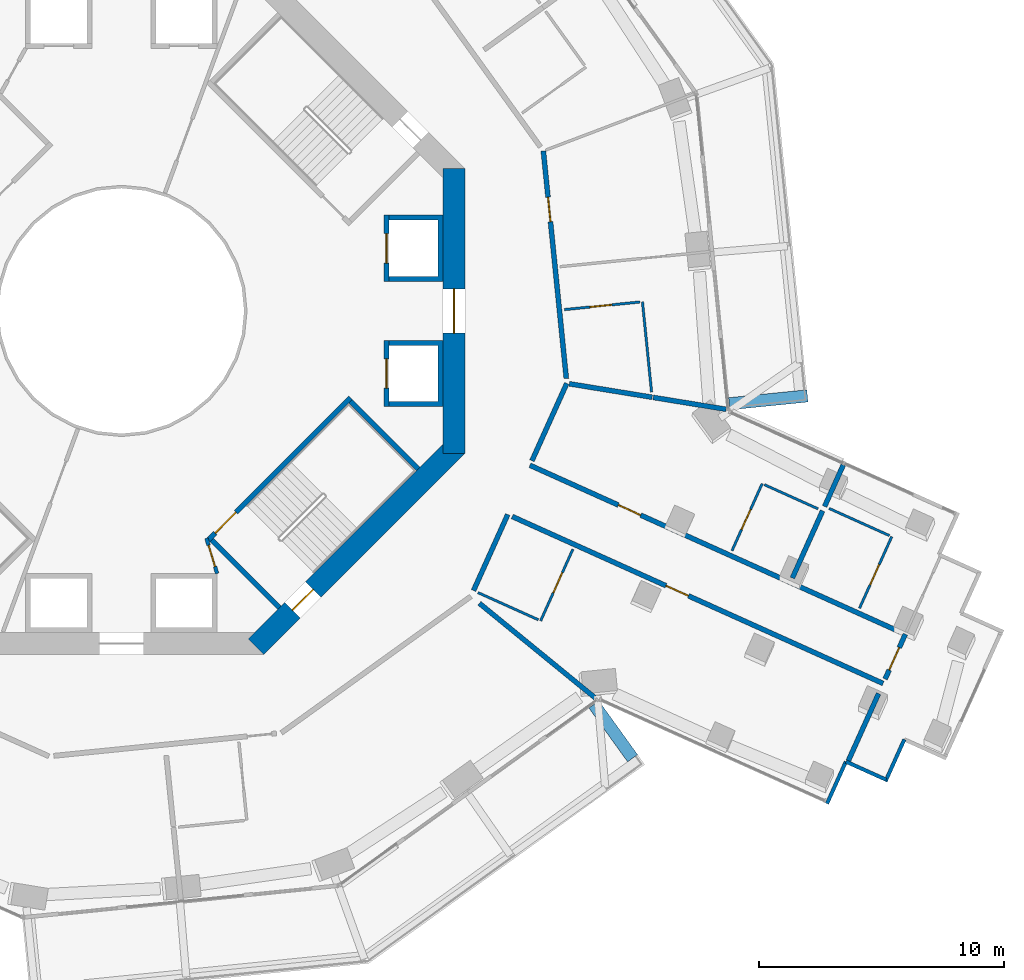
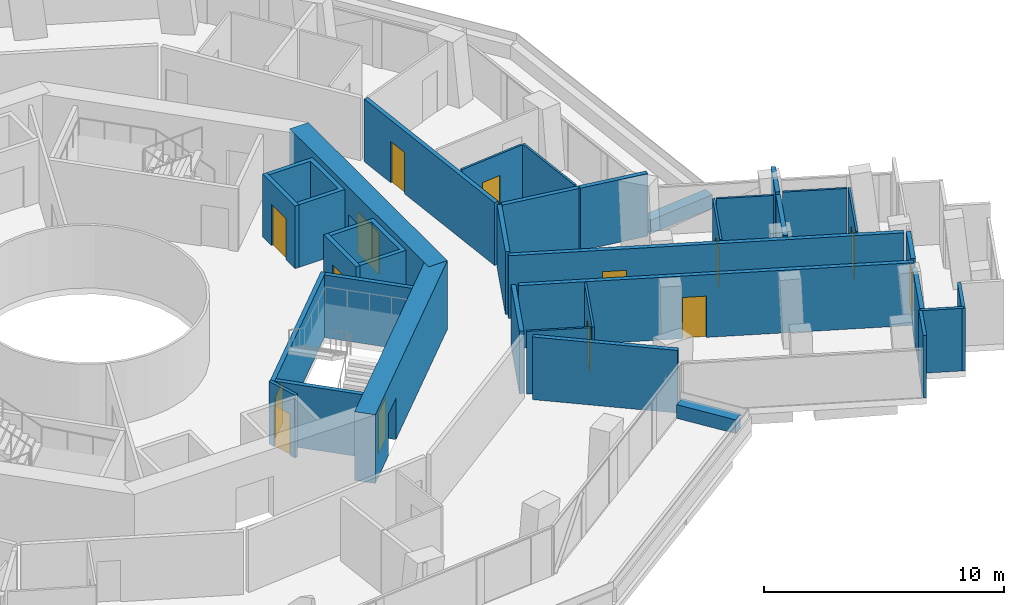
# One storey, part 20 of 26: 35 walls, 14 doors, 14 openings.
"""IFC4 building model written with IfcOpenShell, lengths in metres."""

from ifc_helpers import new_model, si_unit, direction, frame, frame_2d, origin, place, context, subcontext, project, spatial, polyline, rectangle, outline, extrude, material, layer, layer_set, type_object, element, fill, save


model = new_model("IFC4")

# Units and contexts
model_context = context("Model", 3, precision=1e-05, world=origin(), true_north=direction((0.0, 1.0)))
body_context = subcontext(model_context, "Body", "Model", "MODEL_VIEW")
ifc_project = project(units=[si_unit("LENGTHUNIT", "METRE"), si_unit("AREAUNIT", "SQUARE_METRE"), si_unit("VOLUMEUNIT", "CUBIC_METRE"), si_unit("PLANEANGLEUNIT", "RADIAN"), si_unit("MASSUNIT", "GRAM", prefix="KILO")], contexts=[model_context])

# Site, building, storey
site_placement = place(None, origin())
site = spatial("IfcSite", under=ifc_project, at=site_placement, CompositionType="ELEMENT")
building_placement = place(site_placement, origin())
building = spatial("IfcBuilding", under=site, at=building_placement, Name="Verdalira Terraces Hotel", CompositionType="ELEMENT")
storey_placement = place(building_placement, frame((0.0, 0.0, 56.5)))
storey = spatial("IfcBuildingStorey", under=building, at=storey_placement, Name="L12", CompositionType="ELEMENT", Elevation=56.5)

# Walls
ifc_material_1 = material(Name="Concrete C40", Category="concrete")
ifc_layer_1 = layer(ifc_material_1, 0.5)
ifc_layer_set_1 = layer_set([ifc_layer_1], Name="Balcony planter trough with tree")
wall_type_1 = type_object("IfcWallType", Name="Balcony planter trough with tree", PredefinedType="SOLIDWALL", material=ifc_layer_set_1)
wall_1_placement = place(storey_placement, frame((20.825928, -18.223389, 0.0), z_axis=(0.0, 0.0, 1.0), x_axis=(-0.584416714, 0.811453698, 0.0)))
element("IfcWall", 1, at=wall_1_placement, inside=storey, type_object=wall_type_1, Name="Balcony planter", PredefinedType="SOLIDWALL", context=body_context, shape_type="SweptSolid", body=[
    extrude(rectangle(XDim=2.698975, YDim=0.5, at=frame_2d((1.349609, 0.0))), origin(), (0.0, 0.0, 1.0), 0.699951),
])
wall_2_placement = place(storey_placement, frame((24.76416, -3.783691, 0.0), z_axis=(0.0, 0.0, 1.0), x_axis=(0.994951439, 0.100357532, 0.0)))
element("IfcWall", 2, at=wall_2_placement, inside=storey, type_object=wall_type_1, Name="Balcony planter", PredefinedType="SOLIDWALL", context=body_context, shape_type="SweptSolid", body=[
    extrude(rectangle(XDim=3.198975, YDim=0.5, at=frame_2d((1.599609, 0.0))), origin(), (0.0, 0.0, 1.0), 0.699951),
])
ifc_material_2 = material(Name="Moisture-resistant gypsum board partition")
ifc_layer_2 = layer(ifc_material_2, 0.10009765625)
ifc_layer_set_2 = layer_set([ifc_layer_2], Name="Bathroom partition 100 mm")
wall_type_2 = type_object("IfcWallType", Name="Bathroom partition 100 mm", PredefinedType="PARTITIONING", material=ifc_layer_set_2)
wall_3_placement = place(storey_placement, frame((16.989502, -12.584717, 0.0), z_axis=(0.0, 0.0, 1.0), x_axis=(-0.911847045, 0.410530105, 0.0)))
element("IfcWall", 3, at=wall_3_placement, inside=storey, type_object=wall_type_2, Name="Bathroom partition", PredefinedType="PARTITIONING", context=body_context, shape_type="SweptSolid", body=[
    extrude(rectangle(XDim=2.699951, YDim=0.100098, at=frame_2d((1.350098, 0.0))), origin(), (0.0, 0.0, 1.0), 3.189941),
])

# Wall, opening, door
wall_4_placement = place(storey_placement, frame((17.080566, -12.625732, 0.0), z_axis=(0.0, 0.0, 1.0), x_axis=(0.410558188, 0.911834401, 0.0)))
wall_4 = element("IfcWall", 4, at=wall_4_placement, inside=storey, type_object=wall_type_2, Name="Bathroom partition", PredefinedType="PARTITIONING", context=body_context, shape_type="SweptSolid", body=[
    extrude(rectangle(XDim=3.199951, YDim=0.100098, at=frame_2d((1.600098, 0.0))), origin(), (0.0, 0.0, 1.0), 3.189941),
])
opening_1_placement = place(wall_4_placement, frame((1.25, 0.0, 0.0)))
opening_1 = element("IfcOpeningElement", 5, at=opening_1_placement, cuts=wall_4, Name="Opening L12-126", PredefinedType="OPENING", context=body_context, shape_type="SweptSolid", body=[
    extrude(rectangle(XDim=0.899902, YDim=2.100098, at=frame_2d((0.449951, 1.050049))), frame((0.0, 0.060059, 0.0), z_axis=(0.0, -1.0, 0.0), x_axis=(1.0, 0.0, 0.0)), (0.0, 0.0, 1.0), 0.120117),
])
ifc_material_3 = material(Name="Timber door", Category="wood")
door_type_1 = type_object("IfcDoorType", Name="Bathroom door 900 x 2100", OperationType="NOTDEFINED", PredefinedType="DOOR", material=ifc_material_3)
door_1_placement = place(opening_1_placement, origin())
door_1 = element("IfcDoor", 6, at=door_1_placement, inside=storey, type_object=door_type_1, Name="Bathroom door 1211", OperationType="SINGLE_SWING_LEFT", OverallHeight=2.10009765625, OverallWidth=0.89990234375, PredefinedType="DOOR", context=body_context, shape_type="SweptSolid", body=[
    extrude(rectangle(XDim=0.899902, YDim=2.100098, at=frame_2d((0.449951, 1.050049))), frame((0.0, 0.024902, 0.0), z_axis=(0.0, -1.0, 0.0), x_axis=(1.0, 0.0, 0.0)), (0.0, 0.0, 1.0), 0.050049),
])
fill(opening_1, door_1)

wall_5_placement = place(storey_placement, frame((21.128418, 0.364014, 0.0), z_axis=(0.0, 0.0, 1.0), x_axis=(-0.994953403, -0.100338054, 0.0)))
wall_5 = element("IfcWall", 7, at=wall_5_placement, inside=storey, type_object=wall_type_2, Name="Bathroom partition", PredefinedType="PARTITIONING", context=body_context, shape_type="SweptSolid", body=[
    extrude(rectangle(XDim=3.099854, YDim=0.100098, at=frame_2d((1.549805, 0.0))), origin(), (0.0, 0.0, 1.0), 3.189941),
])
opening_2_placement = place(wall_5_placement, frame((1.149902, 0.0, 0.0)))
opening_2 = element("IfcOpeningElement", 8, at=opening_2_placement, cuts=wall_5, Name="Opening L12-135", PredefinedType="OPENING", context=body_context, shape_type="SweptSolid", body=[
    extrude(rectangle(XDim=0.899902, YDim=2.100098, at=frame_2d((0.449951, 1.050049))), frame((0.0, 0.060059, 0.0), z_axis=(0.0, -1.0, 0.0), x_axis=(1.0, 0.0, 0.0)), (0.0, 0.0, 1.0), 0.120117),
])
door_2_placement = place(opening_2_placement, origin())
door_2 = element("IfcDoor", 9, at=door_2_placement, inside=storey, type_object=door_type_1, Name="Bathroom door 1214", OperationType="SINGLE_SWING_LEFT", OverallHeight=2.10009765625, OverallWidth=0.89990234375, PredefinedType="DOOR", context=body_context, shape_type="SweptSolid", body=[
    extrude(rectangle(XDim=0.899902, YDim=2.100098, at=frame_2d((0.449951, 1.050049))), frame((0.0, 0.024902, 0.0), z_axis=(0.0, -1.0, 0.0), x_axis=(1.0, 0.0, 0.0)), (0.0, 0.0, 1.0), 0.050049),
])
fill(opening_2, door_2)

# Wall
wall_6_placement = place(storey_placement, frame((21.599609, -3.311279, 0.0), z_axis=(0.0, 0.0, 1.0), x_axis=(-0.100319439, 0.99495528, 0.0)))
element("IfcWall", 10, at=wall_6_placement, inside=storey, type_object=wall_type_2, Name="Bathroom partition", PredefinedType="PARTITIONING", context=body_context, shape_type="SweptSolid", body=[
    extrude(rectangle(XDim=3.704102, YDim=0.100098, at=frame_2d((1.852051, 0.0))), origin(), (0.0, 0.0, 1.0), 3.189941),
])

# Wall, opening, door
wall_7_placement = place(storey_placement, frame((26.105713, -7.038574, 0.0), z_axis=(0.0, 0.0, 1.0), x_axis=(-0.410581238, -0.911824022, 0.0)))
wall_7 = element("IfcWall", 11, at=wall_7_placement, inside=storey, type_object=wall_type_2, Name="Bathroom partition", PredefinedType="PARTITIONING", context=body_context, shape_type="SweptSolid", body=[
    extrude(rectangle(XDim=2.999756, YDim=0.100098, at=frame_2d((1.5, 0.0))), origin(), (0.0, 0.0, 1.0), 3.189941),
])
opening_3_placement = place(wall_7_placement, frame((1.149902, 0.0, 0.0)))
opening_3 = element("IfcOpeningElement", 12, at=opening_3_placement, cuts=wall_7, Name="Opening L12-131", PredefinedType="OPENING", context=body_context, shape_type="SweptSolid", body=[
    extrude(rectangle(XDim=0.899902, YDim=2.100098, at=frame_2d((0.449951, 1.050049))), frame((0.0, 0.060059, 0.0), z_axis=(0.0, -1.0, 0.0), x_axis=(1.0, 0.0, 0.0)), (0.0, 0.0, 1.0), 0.120117),
])
door_3_placement = place(opening_3_placement, origin())
door_3 = element("IfcDoor", 13, at=door_3_placement, inside=storey, type_object=door_type_1, Name="Bathroom door 1213", OperationType="SINGLE_SWING_LEFT", OverallHeight=2.10009765625, OverallWidth=0.89990234375, PredefinedType="DOOR", context=body_context, shape_type="SweptSolid", body=[
    extrude(rectangle(XDim=0.899902, YDim=2.100098, at=frame_2d((0.449951, 1.050049))), frame((0.0, 0.024902, 0.0), z_axis=(0.0, -1.0, 0.0), x_axis=(1.0, 0.0, 0.0)), (0.0, 0.0, 1.0), 0.050049),
])
fill(opening_3, door_3)

# Walls
wall_8_placement = place(storey_placement, frame((26.196777, -7.07959, 0.0), z_axis=(0.0, 0.0, 1.0), x_axis=(0.91183774, -0.410550772, 0.0)))
element("IfcWall", 14, at=wall_8_placement, inside=storey, type_object=wall_type_2, Name="Bathroom partition", PredefinedType="PARTITIONING", context=body_context, shape_type="SweptSolid", body=[
    extrude(rectangle(XDim=2.400146, YDim=0.100098, at=frame_2d((1.200195, 0.0))), origin(), (0.0, 0.0, 1.0), 3.189941),
])
wall_9_placement = place(storey_placement, frame((31.293945, -9.155273, 0.0), z_axis=(0.0, 0.0, 1.0), x_axis=(-0.911813193, 0.410605286, 0.0)))
element("IfcWall", 15, at=wall_9_placement, inside=storey, type_object=wall_type_2, Name="Bathroom partition", PredefinedType="PARTITIONING", context=body_context, shape_type="SweptSolid", body=[
    extrude(rectangle(XDim=2.699951, YDim=0.100098, at=frame_2d((1.350098, 0.0))), origin(), (0.0, 0.0, 1.0), 3.189941),
])

# Wall, opening, door
wall_10_placement = place(storey_placement, frame((30.071289, -12.114258, 0.0), z_axis=(0.0, 0.0, 1.0), x_axis=(0.410593059, 0.911818699, 0.0)))
wall_10 = element("IfcWall", 16, at=wall_10_placement, inside=storey, type_object=wall_type_2, Name="Bathroom partition", PredefinedType="PARTITIONING", context=body_context, shape_type="SweptSolid", body=[
    extrude(rectangle(XDim=3.200195, YDim=0.100098, at=frame_2d((1.600098, 0.0))), origin(), (0.0, 0.0, 1.0), 3.189941),
])
opening_4_placement = place(wall_10_placement, frame((1.050049, 0.0, 0.0)))
opening_4 = element("IfcOpeningElement", 17, at=opening_4_placement, cuts=wall_10, Name="Opening L12-129", PredefinedType="OPENING", context=body_context, shape_type="SweptSolid", body=[
    extrude(rectangle(XDim=0.899902, YDim=2.100098, at=frame_2d((0.449951, 1.050049))), frame((0.0, 0.060059, 0.0), z_axis=(0.0, -1.0, 0.0), x_axis=(1.0, 0.0, 0.0)), (0.0, 0.0, 1.0), 0.120117),
])
door_4_placement = place(opening_4_placement, origin())
door_4 = element("IfcDoor", 18, at=door_4_placement, inside=storey, type_object=door_type_1, Name="Bathroom door 1212", OperationType="SINGLE_SWING_RIGHT", OverallHeight=2.10009765625, OverallWidth=0.89990234375, PredefinedType="DOOR", context=body_context, shape_type="SweptSolid", body=[
    extrude(rectangle(XDim=0.899902, YDim=2.100098, at=frame_2d((0.449951, 1.050049))), frame((0.0, 0.024902, 0.0), z_axis=(0.0, -1.0, 0.0), x_axis=(1.0, 0.0, 0.0)), (0.0, 0.0, 1.0), 0.050049),
])
fill(opening_4, door_4)

# Wall
ifc_material_4 = material(Name="Concrete C50", Category="concrete")
ifc_layer_3 = layer(ifc_material_4, 0.199951171875)
ifc_layer_set_3 = layer_set([ifc_layer_3], Name="Core RC wall 200 C50")
wall_type_3 = type_object("IfcWallType", Name="Core RC wall 200 C50", PredefinedType="SOLIDWALL", material=ifc_layer_set_3)
wall_11_placement = place(storey_placement, origin())
element("IfcWall", 19, at=wall_11_placement, inside=storey, type_object=wall_type_3, Name="L12 shaft wall E1", PredefinedType="SOLIDWALL", context=body_context, shape_type="SweptSolid", body=[
    extrude(outline(polyline([(13.100098, -3.899902), (10.899902, -3.899902), (10.899902, -3.699951), (12.899902, -3.699951), (12.899902, -1.399902), (10.899902, -1.399902), (10.899902, -1.199951), (13.100098, -1.199951), (13.100098, -3.899902)])), origin(), (0.0, 0.0, 1.0), 3.189941),
])

# Wall, opening, door
wall_12_placement = place(storey_placement, frame((10.800049, -1.199951, 0.0), z_axis=(0.0, 0.0, 1.0), x_axis=(0.0, -1.0, 0.0)))
wall_12 = element("IfcWall", 20, at=wall_12_placement, inside=storey, type_object=wall_type_3, Name="L12 shaft front wall E1", PredefinedType="SOLIDWALL", context=body_context, shape_type="SweptSolid", body=[
    extrude(rectangle(XDim=2.699951, YDim=0.199951, at=frame_2d((1.350098, 0.0))), origin(), (0.0, 0.0, 1.0), 3.189941),
])
opening_5_placement = place(wall_12_placement, frame((0.75, 0.0, 0.0)))
opening_5 = element("IfcOpeningElement", 21, at=opening_5_placement, cuts=wall_12, Name="Opening LD-L12-801", PredefinedType="OPENING", context=body_context, shape_type="SweptSolid", body=[
    extrude(rectangle(XDim=1.199951, YDim=2.100098, at=frame_2d((0.600098, 1.050049))), frame((0.0, 0.109863, 0.0), z_axis=(0.0, -1.0, 0.0), x_axis=(1.0, 0.0, 0.0)), (0.0, 0.0, 1.0), 0.219971),
])
ifc_material_5 = material(Name="Stainless steel", Category="steel")
door_type_2 = type_object("IfcDoorType", Name="Landing door 1200 x 2100", OperationType="NOTDEFINED", PredefinedType="DOOR", material=ifc_material_5)
door_5_placement = place(opening_5_placement, origin())
door_5 = element("IfcDoor", 22, at=door_5_placement, inside=storey, type_object=door_type_2, Name="Lift landing door LR1 L12", OperationType="DOUBLE_DOOR_SLIDING", OverallHeight=2.10009765625, OverallWidth=1.199951171875, PredefinedType="DOOR", context=body_context, shape_type="SweptSolid", body=[
    extrude(rectangle(XDim=1.199951, YDim=2.100098, at=frame_2d((0.600098, 1.050049))), frame((0.0, 0.024902, 0.0), z_axis=(0.0, -1.0, 0.0), x_axis=(1.0, 0.0, 0.0)), (0.0, 0.0, 1.0), 0.050049),
])
fill(opening_5, door_5)

# Wall
wall_13_placement = place(storey_placement, origin())
element("IfcWall", 23, at=wall_13_placement, inside=storey, type_object=wall_type_3, Name="L12 shaft wall E2", PredefinedType="SOLIDWALL", context=body_context, shape_type="SweptSolid", body=[
    extrude(outline(polyline([(13.100098, 3.899902), (13.100098, 1.199951), (10.899902, 1.199951), (10.899902, 1.399902), (12.899902, 1.399902), (12.899902, 3.699951), (10.899902, 3.699951), (10.899902, 3.899902), (13.100098, 3.899902)])), origin(), (0.0, 0.0, 1.0), 3.189941),
])

# Wall, opening, door
wall_14_placement = place(storey_placement, frame((10.800049, 1.199951, 0.0), z_axis=(0.0, 0.0, 1.0), x_axis=(0.0, 1.0, 0.0)))
wall_14 = element("IfcWall", 24, at=wall_14_placement, inside=storey, type_object=wall_type_3, Name="L12 shaft front wall E2", PredefinedType="SOLIDWALL", context=body_context, shape_type="SweptSolid", body=[
    extrude(rectangle(XDim=2.699951, YDim=0.199951, at=frame_2d((1.350098, 0.0))), origin(), (0.0, 0.0, 1.0), 3.189941),
])
opening_6_placement = place(wall_14_placement, frame((0.75, 0.0, 0.0)))
opening_6 = element("IfcOpeningElement", 25, at=opening_6_placement, cuts=wall_14, Name="Opening LD-L12-802", PredefinedType="OPENING", context=body_context, shape_type="SweptSolid", body=[
    extrude(rectangle(XDim=1.199951, YDim=2.100098, at=frame_2d((0.600098, 1.050049))), frame((0.0, 0.109863, 0.0), z_axis=(0.0, -1.0, 0.0), x_axis=(1.0, 0.0, 0.0)), (0.0, 0.0, 1.0), 0.219971),
])
door_6_placement = place(opening_6_placement, origin())
door_6 = element("IfcDoor", 26, at=door_6_placement, inside=storey, type_object=door_type_2, Name="Lift landing door LR2 L12", OperationType="DOUBLE_DOOR_SLIDING", OverallHeight=2.10009765625, OverallWidth=1.199951171875, PredefinedType="DOOR", context=body_context, shape_type="SweptSolid", body=[
    extrude(rectangle(XDim=1.199951, YDim=2.100098, at=frame_2d((0.600098, 1.050049))), frame((0.0, 0.024902, 0.0), z_axis=(0.0, -1.0, 0.0), x_axis=(1.0, 0.0, 0.0)), (0.0, 0.0, 1.0), 0.050049),
])
fill(opening_6, door_6)

wall_15_placement = place(storey_placement, frame((9.33374, -3.5354, 0.0), z_axis=(0.0, 0.0, 1.0), x_axis=(-0.707106781, -0.707106781, 0.0)))
wall_15 = element("IfcWall", 27, at=wall_15_placement, inside=storey, type_object=wall_type_3, Name="L12 stair ST3 front wall", PredefinedType="SOLIDWALL", context=body_context, shape_type="SweptSolid", body=[
    extrude(rectangle(XDim=8.200195, YDim=0.199951, at=frame_2d((4.100098, 0.0))), origin(), (0.0, 0.0, 1.0), 3.189941),
])
opening_7_placement = place(wall_15_placement, frame((6.600098, 0.0, 0.0)))
opening_7 = element("IfcOpeningElement", 28, at=opening_7_placement, cuts=wall_15, Name="Opening L12-811", PredefinedType="OPENING", context=body_context, shape_type="SweptSolid", body=[
    extrude(rectangle(XDim=1.199951, YDim=2.100098, at=frame_2d((0.600098, 1.050049))), frame((0.0, 0.109863, 0.0), z_axis=(0.0, -1.0, 0.0), x_axis=(1.0, 0.0, 0.0)), (0.0, 0.0, 1.0), 0.219971),
])
ifc_material_6 = material(Name="Steel fire door", Category="steel")
door_type_3 = type_object("IfcDoorType", Name="Stair door 1200 x 2100", OperationType="NOTDEFINED", PredefinedType="DOOR", material=ifc_material_6)
door_7_placement = place(opening_7_placement, origin())
door_7 = element("IfcDoor", 29, at=door_7_placement, inside=storey, type_object=door_type_3, Name="Stair door ST3 L12", OperationType="SINGLE_SWING_RIGHT", OverallHeight=2.10009765625, OverallWidth=1.199951171875, PredefinedType="DOOR", context=body_context, shape_type="SweptSolid", body=[
    extrude(rectangle(XDim=1.199951, YDim=2.100098, at=frame_2d((0.600098, 1.050049))), frame((0.0, 0.024902, 0.0), z_axis=(0.0, -1.0, 0.0), x_axis=(1.0, 0.0, 0.0)), (0.0, 0.0, 1.0), 0.050049),
])
fill(opening_7, door_7)

# Walls
for number, where, z_axis, x_axis, name in (
    (30, (3.677002, -9.33374, 0.0), (0.0, 0.0, 1.0), (0.707106781, -0.707106781, 0.0), "L12 stair ST3 end wall 1"),
    (31, (9.33374, -3.677002, 0.0), (0.0, 0.0, 1.0), (0.707106781, -0.707106781, 0.0), "L12 stair ST3 end wall 2"),
):
    element("IfcWall", number, at=place(storey_placement, frame(where, z_axis=z_axis, x_axis=x_axis)), inside=storey, type_object=wall_type_3, Name=name, PredefinedType="SOLIDWALL", context=body_context, shape_type="SweptSolid", body=[
        extrude(rectangle(XDim=3.900146, YDim=0.199951, at=frame_2d((1.950195, 0.0))), origin(), (0.0, 0.0, 1.0), 3.189941),
    ])

# Wall, opening, door
ifc_material_7 = material(Name="Gypsum board partition")
ifc_layer_4 = layer(ifc_material_7, 0.14990234375)
ifc_layer_set_4 = layer_set([ifc_layer_4], Name="Core partition 150 mm")
wall_type_4 = type_object("IfcWallType", Name="Core partition 150 mm", PredefinedType="PARTITIONING", material=ifc_layer_set_4)
wall_16_placement = place(storey_placement, frame((3.899902, -10.699951, 0.0), z_axis=(0.0, 0.0, 1.0), x_axis=(-0.289808785, 0.957084567, 0.0)))
wall_16 = element("IfcWall", 32, at=wall_16_placement, inside=storey, type_object=wall_type_4, Name="Room partition L12", PredefinedType="PARTITIONING", context=body_context, shape_type="SweptSolid", body=[
    extrude(rectangle(XDim=1.501221, YDim=0.149902, at=frame_2d((0.750488, 0.0))), origin(), (0.0, 0.0, 1.0), 3.189941),
])
opening_8_placement = place(wall_16_placement, frame((0.300781, 0.0, 0.0)))
opening_8 = element("IfcOpeningElement", 33, at=opening_8_placement, cuts=wall_16, Name="Opening L12-823", PredefinedType="OPENING", context=body_context, shape_type="SweptSolid", body=[
    extrude(rectangle(XDim=0.899902, YDim=2.100098, at=frame_2d((0.449951, 1.050049))), frame((0.0, 0.084961, 0.0), z_axis=(0.0, -1.0, 0.0), x_axis=(1.0, 0.0, 0.0)), (0.0, 0.0, 1.0), 0.169922),
])
ifc_material_8 = material(Name="Steel fire door", Category="steel")
door_type_4 = type_object("IfcDoorType", Name="Core room door 900 x 2100", OperationType="NOTDEFINED", PredefinedType="DOOR", material=ifc_material_8)
door_8_placement = place(opening_8_placement, origin())
door_8 = element("IfcDoor", 34, at=door_8_placement, inside=storey, type_object=door_type_4, Name="Door L12 room6", OperationType="SINGLE_SWING_LEFT", OverallHeight=2.10009765625, OverallWidth=0.89990234375, PredefinedType="DOOR", context=body_context, shape_type="SweptSolid", body=[
    extrude(rectangle(XDim=0.899902, YDim=2.100098, at=frame_2d((0.449951, 1.050049))), frame((0.0, 0.024902, 0.0), z_axis=(0.0, -1.0, 0.0), x_axis=(1.0, 0.0, 0.0)), (0.0, 0.0, 1.0), 0.050049),
])
fill(opening_8, door_8)

ifc_material_9 = material(Name="Concrete C70", Category="concrete")
ifc_layer_5 = layer(ifc_material_9, 0.89990234375)
ifc_layer_set_5 = layer_set([ifc_layer_5], Name="Core wall 900 C70")
wall_type_5 = type_object("IfcWallType", Name="Core wall 900 C70", PredefinedType="SHEAR", material=ifc_layer_set_5)
wall_17_placement = place(storey_placement, frame((13.550049, -5.799072, 0.0), z_axis=(0.0, 0.0, 1.0), x_axis=(0.0, 1.0, 0.0)))
wall_17 = element("IfcWall", 35, at=wall_17_placement, inside=storey, type_object=wall_type_5, Name="Core wall CW-L12-1", PredefinedType="SHEAR", context=body_context, shape_type="SweptSolid", body=[
    extrude(rectangle(XDim=11.598145, YDim=0.899902, at=frame_2d((5.799072, 0.0))), origin(), (0.0, 0.0, 1.0), 3.5),
])
opening_9_placement = place(wall_17_placement, frame((4.898926, 0.0, 0.0)))
opening_9 = element("IfcOpeningElement", 36, at=opening_9_placement, cuts=wall_17, Name="Opening L12-812", PredefinedType="OPENING", context=body_context, shape_type="SweptSolid", body=[
    extrude(rectangle(XDim=1.800049, YDim=2.100098, at=frame_2d((0.899902, 1.050049))), frame((0.0, 0.459961, 0.0), z_axis=(0.0, -1.0, 0.0), x_axis=(1.0, 0.0, 0.0)), (0.0, 0.0, 1.0), 0.919922),
])
ifc_material_10 = material(Name="Steel fire door", Category="steel")
door_type_5 = type_object("IfcDoorType", Name="Core entry door pair 1800 x 2100", OperationType="NOTDEFINED", PredefinedType="DOOR", material=ifc_material_10)
door_9_placement = place(opening_9_placement, origin())
door_9 = element("IfcDoor", 37, at=door_9_placement, inside=storey, type_object=door_type_5, Name="Core entry door L12 0", OperationType="DOUBLE_DOOR_SINGLE_SWING", OverallHeight=2.10009765625, OverallWidth=1.800048828125, PredefinedType="DOOR", context=body_context, shape_type="SweptSolid", body=[
    extrude(rectangle(XDim=1.800049, YDim=2.100098, at=frame_2d((0.899902, 1.050049))), frame((0.0, 0.024902, 0.0), z_axis=(0.0, -1.0, 0.0), x_axis=(1.0, 0.0, 0.0)), (0.0, 0.0, 1.0), 0.050049),
])
fill(opening_9, door_9)

wall_18_placement = place(storey_placement, frame((5.480713, -13.681885, 0.0), z_axis=(0.0, 0.0, 1.0), x_axis=(0.707106781, 0.707106781, 0.0)))
wall_18 = element("IfcWall", 38, at=wall_18_placement, inside=storey, type_object=wall_type_5, Name="Core wall CW-L12-8", PredefinedType="SHEAR", context=body_context, shape_type="SweptSolid", body=[
    extrude(rectangle(XDim=11.598145, YDim=0.899902, at=frame_2d((5.799072, 0.0))), origin(), (0.0, 0.0, 1.0), 3.5),
])
opening_10_placement = place(wall_18_placement, frame((2.099121, 0.0, 0.0)))
opening_10 = element("IfcOpeningElement", 39, at=opening_10_placement, cuts=wall_18, Name="Opening L12-818", PredefinedType="OPENING", context=body_context, shape_type="SweptSolid", body=[
    extrude(rectangle(XDim=1.199951, YDim=2.100098, at=frame_2d((0.600098, 1.050049))), frame((0.0, 0.459961, 0.0), z_axis=(0.0, -1.0, 0.0), x_axis=(1.0, 0.0, 0.0)), (0.0, 0.0, 1.0), 0.919922),
])
door_10_placement = place(opening_10_placement, origin())
door_10 = element("IfcDoor", 40, at=door_10_placement, inside=storey, type_object=door_type_3, Name="Stair exit door ST3 L12", OperationType="SINGLE_SWING_LEFT", OverallHeight=2.10009765625, OverallWidth=1.199951171875, PredefinedType="DOOR", context=body_context, shape_type="SweptSolid", body=[
    extrude(rectangle(XDim=1.199951, YDim=2.100098, at=frame_2d((0.600098, 1.050049))), frame((0.0, 0.024902, 0.0), z_axis=(0.0, -1.0, 0.0), x_axis=(1.0, 0.0, 0.0)), (0.0, 0.0, 1.0), 0.050049),
])
fill(opening_10, door_10)

# Walls
ifc_material_11 = material(Name="Fire-rated gypsum board wall")
ifc_layer_6 = layer(ifc_material_11, 0.199951171875)
ifc_layer_set_6 = layer_set([ifc_layer_6], Name="Demising wall 200 mm")
wall_type_6 = type_object("IfcWallType", Name="Demising wall 200 mm", PredefinedType="SOLIDWALL", material=ifc_layer_set_6)
wall_19_placement = place(storey_placement, frame((14.585449, -11.912598, 0.0), z_axis=(0.0, 0.0, 1.0), x_axis=(0.774505144, -0.632567611, 0.0)))
element("IfcWall", 41, at=wall_19_placement, inside=storey, type_object=wall_type_6, Name="Demising wall", PredefinedType="SOLIDWALL", context=body_context, shape_type="SweptSolid", body=[
    extrude(rectangle(XDim=6.13208, YDim=0.199951, at=frame_2d((3.065918, 0.0))), origin(), (0.0, 0.0, 1.0), 3.189941),
])
wall_20_placement = place(storey_placement, frame((18.248291, -2.96875, 0.0), z_axis=(0.0, 0.0, 1.0), x_axis=(0.987029122, -0.160541311, 0.0)))
element("IfcWall", 42, at=wall_20_placement, inside=storey, type_object=wall_type_6, Name="Demising wall", PredefinedType="SOLIDWALL", context=body_context, shape_type="SweptSolid", body=[
    extrude(rectangle(XDim=3.418701, YDim=0.199951, at=frame_2d((1.709473, 0.0))), origin(), (0.0, 0.0, 1.0), 3.189941),
])
wall_21_placement = place(storey_placement, frame((21.667725, -3.524902, 0.0), z_axis=(0.0, 0.0, 1.0), x_axis=(0.987019825, -0.160598462, 0.0)))
element("IfcWall", 43, at=wall_21_placement, inside=storey, type_object=wall_type_6, Name="Demising wall", PredefinedType="SOLIDWALL", context=body_context, shape_type="SweptSolid", body=[
    extrude(rectangle(XDim=3.011475, YDim=0.199951, at=frame_2d((1.505859, 0.0))), origin(), (0.0, 0.0, 1.0), 3.189941),
])
wall_22_placement = place(storey_placement, frame((27.335938, -10.882568, 0.0), z_axis=(0.0, 0.0, 1.0), x_axis=(0.410540513, 0.911842359, 0.0)))
element("IfcWall", 44, at=wall_22_placement, inside=storey, type_object=wall_type_6, Name="Demising wall", PredefinedType="SOLIDWALL", context=body_context, shape_type="SweptSolid", body=[
    extrude(rectangle(XDim=3.001953, YDim=0.199951, at=frame_2d((1.500977, 0.0))), origin(), (0.0, 0.0, 1.0), 3.189941),
])
wall_23_placement = place(storey_placement, frame((28.649658, -7.9646, 0.0), z_axis=(0.0, 0.0, 1.0), x_axis=(0.410529278, 0.911847417, 0.0)))
element("IfcWall", 45, at=wall_23_placement, inside=storey, type_object=wall_type_6, Name="Demising wall", PredefinedType="SOLIDWALL", context=body_context, shape_type="SweptSolid", body=[
    extrude(rectangle(XDim=1.850098, YDim=0.199951, at=frame_2d((0.925049, 0.0))), origin(), (0.0, 0.0, 1.0), 3.189941),
])
wall_24_placement = place(storey_placement, frame((30.849609, -15.587158, 0.0), z_axis=(0.0, 0.0, 1.0), x_axis=(-0.410574135, -0.91182722, 0.0)))
element("IfcWall", 46, at=wall_24_placement, inside=storey, type_object=wall_type_6, Name="Demising wall", PredefinedType="SOLIDWALL", context=body_context, shape_type="SweptSolid", body=[
    extrude(rectangle(XDim=3.004639, YDim=0.199951, at=frame_2d((1.502441, 0.0))), origin(), (0.0, 0.0, 1.0), 3.189941),
])
ifc_material_12 = material(Name="Fire-rated gypsum board wall")
ifc_layer_7 = layer(ifc_material_12, 0.199951171875)
ifc_layer_set_7 = layer_set([ifc_layer_7], Name="Guest corridor wall 200 mm")
wall_type_7 = type_object("IfcWallType", Name="Guest corridor wall 200 mm", PredefinedType="SOLIDWALL", material=ifc_layer_set_7)
wall_25_placement = place(storey_placement, frame((14.345215, -11.394043, 0.0), z_axis=(0.0, 0.0, 1.0), x_axis=(0.41053785, 0.911843558, 0.0)))
element("IfcWall", 47, at=wall_25_placement, inside=storey, type_object=wall_type_7, Name="Guest corridor wall", PredefinedType="SOLIDWALL", context=body_context, shape_type="SweptSolid", body=[
    extrude(rectangle(XDim=3.399902, YDim=0.199951, at=frame_2d((1.699951, 0.0))), origin(), (0.0, 0.0, 1.0), 3.189941),
])
wall_26_placement = place(storey_placement, frame((16.726318, -6.105469, 0.0), z_axis=(0.0, 0.0, 1.0), x_axis=(0.410561327, 0.911832988, 0.0)))
element("IfcWall", 48, at=wall_26_placement, inside=storey, type_object=wall_type_7, Name="Guest corridor wall", PredefinedType="SOLIDWALL", context=body_context, shape_type="SweptSolid", body=[
    extrude(rectangle(XDim=3.458496, YDim=0.199951, at=frame_2d((1.729248, 0.0))), origin(), (0.0, 0.0, 1.0), 3.189941),
])

# Wall, opening, door
wall_27_placement = place(storey_placement, frame((17.191162, 6.516602, 0.0), z_axis=(0.0, 0.0, 1.0), x_axis=(0.100362456, -0.994950942, 0.0)))
wall_27 = element("IfcWall", 49, at=wall_27_placement, inside=storey, type_object=wall_type_7, Name="Guest corridor wall", PredefinedType="SOLIDWALL", context=body_context, shape_type="SweptSolid", body=[
    extrude(rectangle(XDim=9.316895, YDim=0.199951, at=frame_2d((4.658447, 0.0))), origin(), (0.0, 0.0, 1.0), 3.189941),
])
opening_11_placement = place(wall_27_placement, frame((1.899902, 0.0, 0.0)))
opening_11 = element("IfcOpeningElement", 50, at=opening_11_placement, cuts=wall_27, Name="Opening L12-132", PredefinedType="OPENING", context=body_context, shape_type="SweptSolid", body=[
    extrude(rectangle(XDim=1.0, YDim=2.100098, at=frame_2d((0.5, 1.050049))), frame((0.0, 0.109863, 0.0), z_axis=(0.0, -1.0, 0.0), x_axis=(1.0, 0.0, 0.0)), (0.0, 0.0, 1.0), 0.219971),
])
ifc_material_13 = material(Name="Timber fire door", Category="wood")
door_type_6 = type_object("IfcDoorType", Name="Guest entry door 1000 x 2100", OperationType="NOTDEFINED", PredefinedType="DOOR", material=ifc_material_13)
door_11_placement = place(opening_11_placement, origin())
door_11 = element("IfcDoor", 51, at=door_11_placement, inside=storey, type_object=door_type_6, Name="Guest entry door 1214", OperationType="SINGLE_SWING_LEFT", OverallHeight=2.10009765625, OverallWidth=1.0, PredefinedType="DOOR", context=body_context, shape_type="SweptSolid", body=[
    extrude(rectangle(XDim=1.0, YDim=2.100098, at=frame_2d((0.5, 1.050049))), frame((0.0, 0.024902, 0.0), z_axis=(0.0, -1.0, 0.0), x_axis=(1.0, 0.0, 0.0)), (0.0, 0.0, 1.0), 0.050049),
])
fill(opening_11, door_11)

wall_28_placement = place(storey_placement, frame((31.033203, -15.179199, 0.0), z_axis=(0.0, 0.0, 1.0), x_axis=(-0.911836027, 0.410554576, 0.0)))
wall_28 = element("IfcWall", 52, at=wall_28_placement, inside=storey, type_object=wall_type_7, Name="Guest corridor wall", PredefinedType="SOLIDWALL", context=body_context, shape_type="SweptSolid", body=[
    extrude(rectangle(XDim=16.570801, YDim=0.199951, at=frame_2d((8.2854, 0.0))), origin(), (0.0, 0.0, 1.0), 3.189941),
])
opening_12_placement = place(wall_28_placement, frame((8.699951, 0.0, 0.0)))
opening_12 = element("IfcOpeningElement", 53, at=opening_12_placement, cuts=wall_28, Name="Opening L12-125", PredefinedType="OPENING", context=body_context, shape_type="SweptSolid", body=[
    extrude(rectangle(XDim=1.0, YDim=2.100098, at=frame_2d((0.5, 1.050049))), frame((0.0, 0.109863, 0.0), z_axis=(0.0, -1.0, 0.0), x_axis=(1.0, 0.0, 0.0)), (0.0, 0.0, 1.0), 0.219971),
])
door_12_placement = place(opening_12_placement, origin())
door_12 = element("IfcDoor", 54, at=door_12_placement, inside=storey, type_object=door_type_6, Name="Guest entry door 1211", OperationType="SINGLE_SWING_LEFT", OverallHeight=2.10009765625, OverallWidth=1.0, PredefinedType="DOOR", context=body_context, shape_type="SweptSolid", body=[
    extrude(rectangle(XDim=1.0, YDim=2.100098, at=frame_2d((0.5, 1.050049))), frame((0.0, 0.024902, 0.0), z_axis=(0.0, -1.0, 0.0), x_axis=(1.0, 0.0, 0.0)), (0.0, 0.0, 1.0), 0.050049),
])
fill(opening_12, door_12)

wall_29_placement = place(storey_placement, frame((16.644287, -6.287842, 0.0), z_axis=(0.0, 0.0, 1.0), x_axis=(0.911830511, -0.410566826, 0.0)))
wall_29 = element("IfcWall", 55, at=wall_29_placement, inside=storey, type_object=wall_type_7, Name="Guest corridor wall", PredefinedType="SOLIDWALL", context=body_context, shape_type="SweptSolid", body=[
    extrude(rectangle(XDim=16.570801, YDim=0.199951, at=frame_2d((8.2854, 0.0))), origin(), (0.0, 0.0, 1.0), 3.189941),
])
opening_13_placement = place(wall_29_placement, frame((3.949951, 0.0, 0.0)))
opening_13 = element("IfcOpeningElement", 56, at=opening_13_placement, cuts=wall_29, Name="Opening L12-130", PredefinedType="OPENING", context=body_context, shape_type="SweptSolid", body=[
    extrude(rectangle(XDim=1.0, YDim=2.100098, at=frame_2d((0.5, 1.050049))), frame((0.0, 0.109863, 0.0), z_axis=(0.0, -1.0, 0.0), x_axis=(1.0, 0.0, 0.0)), (0.0, 0.0, 1.0), 0.219971),
])
door_13_placement = place(opening_13_placement, origin())
door_13 = element("IfcDoor", 57, at=door_13_placement, inside=storey, type_object=door_type_6, Name="Guest entry door 1213", OperationType="SINGLE_SWING_LEFT", OverallHeight=2.10009765625, OverallWidth=1.0, PredefinedType="DOOR", context=body_context, shape_type="SweptSolid", body=[
    extrude(rectangle(XDim=1.0, YDim=2.100098, at=frame_2d((0.5, 1.050049))), frame((0.0, 0.024902, 0.0), z_axis=(0.0, -1.0, 0.0), x_axis=(1.0, 0.0, 0.0)), (0.0, 0.0, 1.0), 0.050049),
])
fill(opening_13, door_13)

wall_30_placement = place(storey_placement, frame((31.937256, -13.171387, 0.0), z_axis=(0.0, 0.0, 1.0), x_axis=(-0.410541958, -0.911841708, 0.0)))
wall_30 = element("IfcWall", 58, at=wall_30_placement, inside=storey, type_object=wall_type_7, Name="Guest corridor wall", PredefinedType="SOLIDWALL", context=body_context, shape_type="SweptSolid", body=[
    extrude(rectangle(XDim=2.00415, YDim=0.199951, at=frame_2d((1.001953, 0.0))), origin(), (0.0, 0.0, 1.0), 3.189941),
])
opening_14_placement = place(wall_30_placement, frame((0.600098, 0.0, 0.0)))
opening_14 = element("IfcOpeningElement", 59, at=opening_14_placement, cuts=wall_30, Name="Opening L12-127", PredefinedType="OPENING", context=body_context, shape_type="SweptSolid", body=[
    extrude(rectangle(XDim=1.0, YDim=2.100098, at=frame_2d((0.5, 1.050049))), frame((0.0, 0.109863, 0.0), z_axis=(0.0, -1.0, 0.0), x_axis=(1.0, 0.0, 0.0)), (0.0, 0.0, 1.0), 0.219971),
])
door_14_placement = place(opening_14_placement, origin())
door_14 = element("IfcDoor", 60, at=door_14_placement, inside=storey, type_object=door_type_6, Name="Guest entry door 1212", OperationType="SINGLE_SWING_LEFT", OverallHeight=2.10009765625, OverallWidth=1.0, PredefinedType="DOOR", context=body_context, shape_type="SweptSolid", body=[
    extrude(rectangle(XDim=1.0, YDim=2.100098, at=frame_2d((0.5, 1.050049))), frame((0.0, 0.024902, 0.0), z_axis=(0.0, -1.0, 0.0), x_axis=(1.0, 0.0, 0.0)), (0.0, 0.0, 1.0), 0.050049),
])
fill(opening_14, door_14)

# Walls
ifc_material_14 = material(Name="Terracotta cladding", Category="masonry")
ifc_layer_8 = layer(ifc_material_14, 0.14990234375)
ifc_layer_set_8 = layer_set([ifc_layer_8], Name="Terracotta clad wall 150")
wall_type_8 = type_object("IfcWallType", Name="Terracotta clad wall 150", PredefinedType="SOLIDWALL", material=ifc_layer_set_8)
wall_31_placement = place(storey_placement, frame((28.747803, -20.07251, 0.0), z_axis=(0.0, 0.0, 1.0), x_axis=(0.410543332, 0.911841089, 0.0)))
element("IfcWall", 61, at=wall_31_placement, inside=storey, type_object=wall_type_8, Name="Terracotta cladding wall", PredefinedType="SOLIDWALL", context=body_context, shape_type="SweptSolid", body=[
    extrude(rectangle(XDim=1.875, YDim=0.149902, at=frame_2d((0.9375, 0.0))), origin(), (0.0, 0.0, 1.0), 3.189941),
])
wall_32_placement = place(storey_placement, frame((29.517578, -18.362793, 0.0), z_axis=(0.0, 0.0, 1.0), x_axis=(0.91183774, -0.410550772, 0.0)))
element("IfcWall", 62, at=wall_32_placement, inside=storey, type_object=wall_type_8, Name="Terracotta cladding wall", PredefinedType="SOLIDWALL", context=body_context, shape_type="SweptSolid", body=[
    extrude(rectangle(XDim=1.800049, YDim=0.149902, at=frame_2d((0.899902, 0.0))), origin(), (0.0, 0.0, 1.0), 3.189941),
])
wall_33_placement = place(storey_placement, frame((31.128174, -19.170166, 0.0), z_axis=(0.0, 0.0, 1.0), x_axis=(0.410543332, 0.911841089, 0.0)))
element("IfcWall", 63, at=wall_33_placement, inside=storey, type_object=wall_type_8, Name="Terracotta cladding wall", PredefinedType="SOLIDWALL", context=body_context, shape_type="SweptSolid", body=[
    extrude(rectangle(XDim=1.875, YDim=0.149902, at=frame_2d((0.9375, 0.0))), origin(), (0.0, 0.0, 1.0), 3.189941),
])

save(model, "model.ifc")
